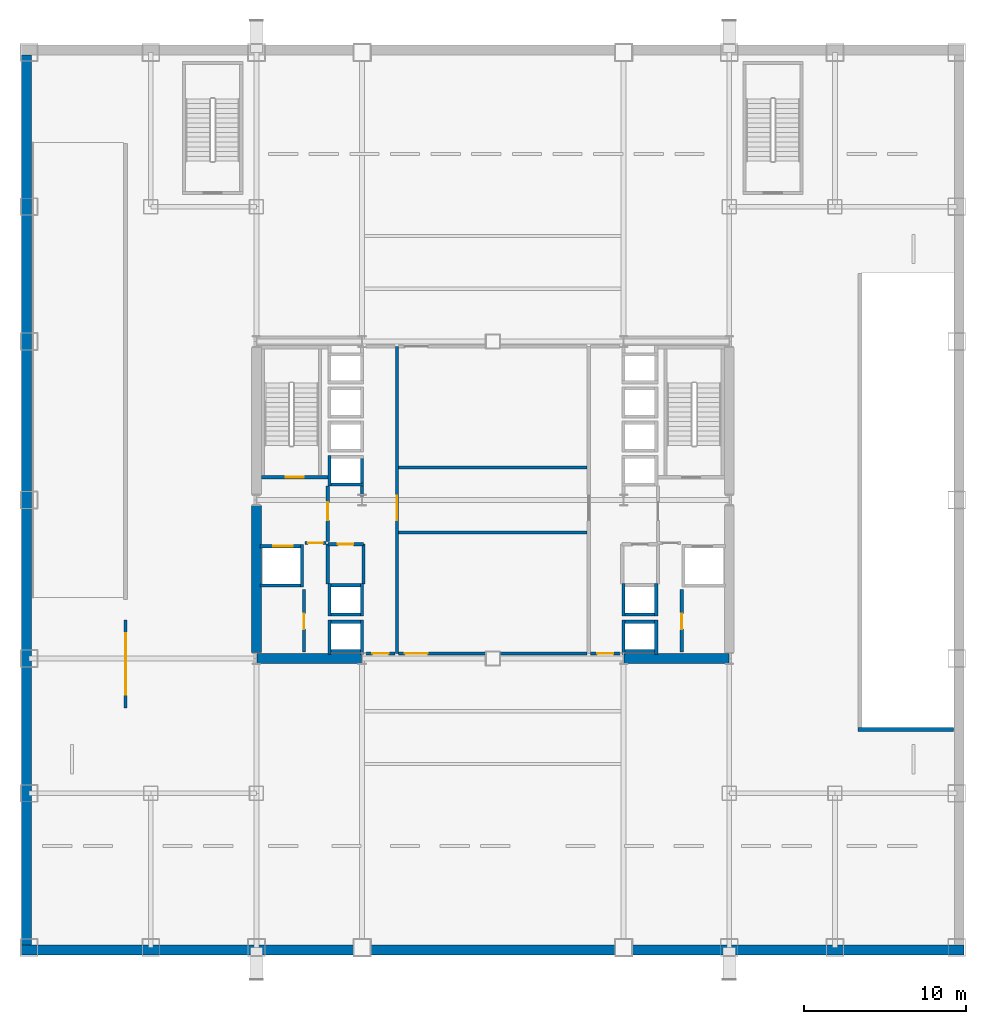
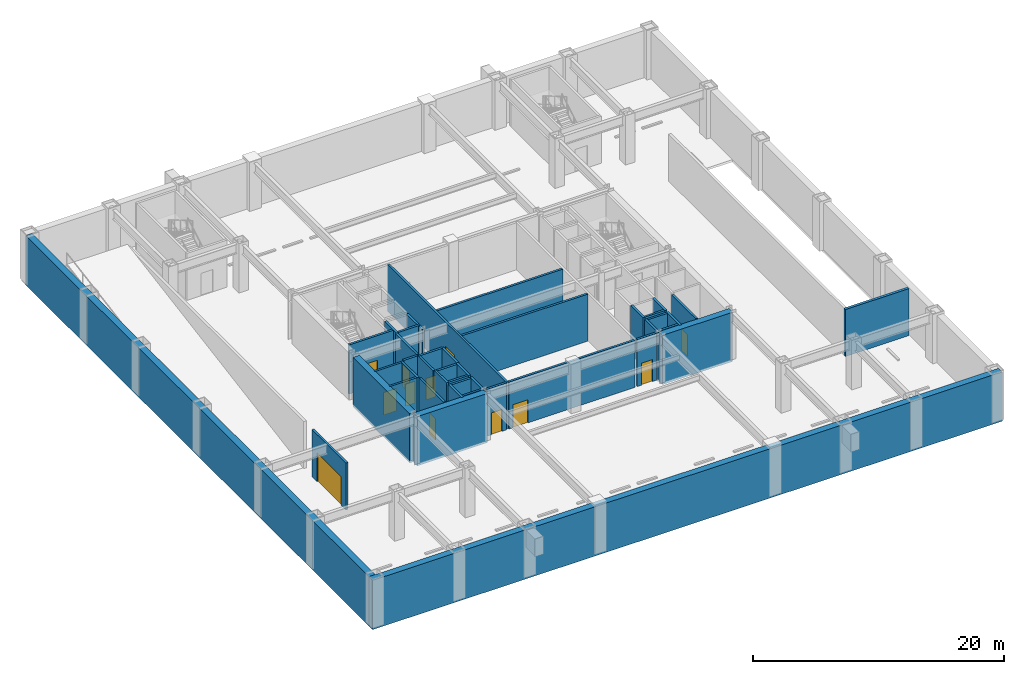
# One storey, part 6 of 10: 42 walls, 12 doors, 12 openings.
"""IFC4 building model written with IfcOpenShell, lengths in metres."""

import ifcopenshell
import ifcopenshell.guid

model = None  # the IFC model being written
_history = None  # IfcOwnerHistory: only IFC2X3 demands one
_inside = {}  # id of a spatial element -> (the spatial element, [elements in it])
_under = {}  # id of a project, library or spatial element -> (it, [spatial elements below it])
_declared = {}  # id of a project -> (the project, [libraries it declares])
_typed = {}  # id of a type object -> (the type object, [elements of that type])
_made_of = {}  # id of a material, layer set ... -> (it, [elements and type objects made of it])


def new_model(schema):
    """Start an empty IFC model of exactly this schema.

    Asked for "IFC4X3", IfcOpenShell would pick the latest addendum, in which some entities
    have other attributes; the version numbers below select the first issue.
    IFC2X3 requires an IfcOwnerHistory on every rooted entity: one is made here for all.
    """
    global model, _history
    if schema == "IFC4X3":
        model = ifcopenshell.file(schema_version=(4, 3, 0, 0))
    else:
        model = ifcopenshell.file(schema=schema)
    _inside.clear()
    _under.clear()
    _declared.clear()
    _typed.clear()
    _made_of.clear()
    _history = None
    if model.schema == "IFC2X3":
        org = make("IfcOrganization", Name="unknown")
        user = make(
            "IfcPersonAndOrganization",
            ThePerson=make("IfcPerson", FamilyName="unknown"),
            TheOrganization=org,
        )
        app = make(
            "IfcApplication",
            ApplicationDeveloper=org,
            Version="unknown",
            ApplicationFullName="unknown",
            ApplicationIdentifier="unknown",
        )
        _history = make(
            "IfcOwnerHistory",
            OwningUser=user,
            OwningApplication=app,
            ChangeAction="ADDED",
            CreationDate=0,
        )
    return model


def make(cls, **values):
    """One entity of the class cls with the attributes given. An attribute that is None is left unset."""
    return model.create_entity(
        cls, **{name: value for name, value in values.items() if value is not None}
    )


def rooted(cls, **values):
    """An entity with a GlobalId (a new one), such as an element, a storey or a relation."""
    return make(cls, GlobalId=ifcopenshell.guid.new(), OwnerHistory=_history, **values)


def si_unit(unit_type, name, prefix=None):
    """IfcSIUnit, for example si_unit("LENGTHUNIT", "METRE", prefix="MILLI")."""
    return make("IfcSIUnit", UnitType=unit_type, Prefix=prefix, Name=name)


def assignment(units):
    """IfcUnitAssignment: the units of a project."""
    return None if units is None else make("IfcUnitAssignment", Units=units)


def point(xyz):
    """IfcCartesianPoint."""
    return None if xyz is None else make("IfcCartesianPoint", Coordinates=xyz)


def direction(xyz):
    """IfcDirection."""
    return None if xyz is None else make("IfcDirection", DirectionRatios=xyz)


def frame(location, z_axis=None, x_axis=None):
    """IfcAxis2Placement3D, a coordinate frame: its origin and axes. An axis left out is left unset."""
    return make(
        "IfcAxis2Placement3D",
        Location=point(location),
        Axis=direction(z_axis),
        RefDirection=direction(x_axis),
    )


def frame_2d(location, x_axis=None):
    """IfcAxis2Placement2D, a coordinate frame in the plane: its origin and x axis."""
    return make(
        "IfcAxis2Placement2D", Location=point(location), RefDirection=direction(x_axis)
    )


def origin():
    """The frame at (0, 0, 0) with its axes left unset."""
    return frame((0.0, 0.0, 0.0))


def place(relative_to, where):
    """IfcLocalPlacement: puts the frame where relative to a parent placement (None: the world)."""
    return make(
        "IfcLocalPlacement", PlacementRelTo=relative_to, RelativePlacement=where
    )


def context(
    kind, dimensions, precision=None, world=None, true_north=None, identifier=None
):
    """IfcGeometricRepresentationContext, for example the 3D "Model" context."""
    return make(
        "IfcGeometricRepresentationContext",
        ContextIdentifier=identifier,
        ContextType=kind,
        CoordinateSpaceDimension=dimensions,
        Precision=precision,
        WorldCoordinateSystem=world,
        TrueNorth=true_north,
    )


def subcontext(parent, identifier, kind, view, scale=None):
    """IfcGeometricRepresentationSubContext, for example "Body" below "Model"."""
    return make(
        "IfcGeometricRepresentationSubContext",
        ContextIdentifier=identifier,
        ContextType=kind,
        ParentContext=parent,
        TargetScale=scale,
        TargetView=view,
    )


def project(units=None, contexts=None):
    """IfcProject with its units and contexts."""
    return rooted(
        "IfcProject",
        Name="project",
        RepresentationContexts=contexts,
        UnitsInContext=assignment(units),
    )


def spatial(cls, under=None, at=None, **own):
    """A site, building, storey or space (cls), placed at a placement, below another one or the project."""
    s = rooted(cls, ObjectPlacement=at, **own)
    if under is not None:
        _under.setdefault(under.id(), (under, []))[1].append(s)
    return s


def profile(cls, at=None, kind="AREA", **sizes):
    """A parametric profile (cls). Its sizes go by their IFC names, for example OverallWidth=200.0."""
    return make(cls, ProfileType=kind, Position=at, **sizes)


def rectangle(**sizes):
    """IfcRectangleProfileDef."""
    return profile("IfcRectangleProfileDef", **sizes)


def extrude(swept, where, along, depth):
    """IfcExtrudedAreaSolid: the profile swept, set in the frame where, extruded along a direction by depth."""
    return make(
        "IfcExtrudedAreaSolid",
        SweptArea=swept,
        Position=where,
        ExtrudedDirection=direction(along),
        Depth=depth,
    )


def shape(context_of_items, identifier, shape_type, items):
    """IfcShapeRepresentation: the items that make up one representation, for example the "Body"."""
    return make(
        "IfcShapeRepresentation",
        ContextOfItems=context_of_items,
        RepresentationIdentifier=identifier,
        RepresentationType=shape_type,
        Items=items,
    )


def material(Name=None, Category=None):
    """IfcMaterial."""
    return make("IfcMaterial", Name=Name, Category=Category)


def layer(
    of_material, thickness, ventilated=None, Name=None, Category=None, Priority=None
):
    """IfcMaterialLayer: one layer of a wall or slab, of a material (None: an air gap)."""
    return make(
        "IfcMaterialLayer",
        Material=of_material,
        LayerThickness=thickness,
        IsVentilated=ventilated,
        Name=Name,
        Category=Category,
        Priority=Priority,
    )


def layer_set(layers, Name=None):
    """IfcMaterialLayerSet."""
    return make("IfcMaterialLayerSet", MaterialLayers=layers, LayerSetName=Name)


def made_of(thing, what):
    """Note that an element or type object is made of a material, layer set ...; save() writes the relation."""
    if what is not None:
        _made_of.setdefault(what.id(), (what, []))[1].append(thing)
    return thing


def type_object(cls, material=None, **own):
    """A type object (cls), such as IfcWallType, which elements share."""
    return made_of(rooted(cls, **own), material)


def element(
    cls,
    number,
    at=None,
    inside=None,
    cuts=None,
    type_object=None,
    material=None,
    context=None,
    identifier="Body",
    shape_type=None,
    held_by="IfcProductDefinitionShape",
    body=None,
    shapes=None,
    **own,
):
    """One element of the class cls, such as IfcWall. Its Tag is "e" and its number.

    at: its placement. inside: the storey or other place that contains it. cuts: it is an
    opening in that element (IfcRelVoidsElement). A single representation is given by context,
    identifier, shape_type and body (its items); several are given by shapes. held_by: the class
    of the entity that holds the representations. save() writes the other relations.
    """
    e = rooted(cls, Tag="e%d" % number, ObjectPlacement=at, **own)
    if body is not None:
        shapes = [shape(context, identifier, shape_type, body)]
    if shapes is not None:
        e.Representation = make(held_by, Representations=shapes)
    if inside is not None:
        _inside.setdefault(inside.id(), (inside, []))[1].append(e)
    if cuts is not None:
        rooted(
            "IfcRelVoidsElement", RelatingBuildingElement=cuts, RelatedOpeningElement=e
        )
    if type_object is not None:
        _typed.setdefault(type_object.id(), (type_object, []))[1].append(e)
    return made_of(e, material)


def fill(opening, filler):
    """IfcRelFillsElement: the door or window that sits in an opening."""
    return rooted(
        "IfcRelFillsElement",
        RelatingOpeningElement=opening,
        RelatedBuildingElement=filler,
    )


def aggregate(whole, parts):
    """IfcRelAggregates: a whole, such as a stair, and the parts it consists of."""
    return rooted("IfcRelAggregates", RelatingObject=whole, RelatedObjects=parts)


def save(model, path):
    """Write the relations noted so far, then the file.

    IfcRelAggregates (storeys below a building ...), IfcRelContainedInSpatialStructure (elements
    in a storey), IfcRelDefinesByType, IfcRelAssociatesMaterial and IfcRelDeclares: one each for
    every whole, place, type object, material and project.
    """
    for whole, parts in _under.values():
        aggregate(whole, parts)
    for where, things in _inside.values():
        rooted(
            "IfcRelContainedInSpatialStructure",
            RelatedElements=things,
            RelatingStructure=where,
        )
    for kind, things in _typed.values():
        rooted("IfcRelDefinesByType", RelatedObjects=things, RelatingType=kind)
    for what, things in _made_of.values():
        rooted("IfcRelAssociatesMaterial", RelatedObjects=things, RelatingMaterial=what)
    for by, libraries in _declared.values():
        rooted("IfcRelDeclares", RelatingContext=by, RelatedDefinitions=libraries)
    model.write(path)


model = new_model("IFC4")

# Units and contexts
model_context = context("Model", 3, precision=1e-05, world=origin(), true_north=direction((0.0, 1.0)))
body_context = subcontext(model_context, "Body", "Model", "MODEL_VIEW")
ifc_project = project(units=[si_unit("LENGTHUNIT", "METRE"), si_unit("AREAUNIT", "SQUARE_METRE"), si_unit("VOLUMEUNIT", "CUBIC_METRE"), si_unit("PLANEANGLEUNIT", "RADIAN"), si_unit("MASSUNIT", "GRAM", prefix="KILO")], contexts=[model_context])

# Site, building, storey
site_placement = place(None, origin())
site = spatial("IfcSite", under=ifc_project, at=site_placement, CompositionType="ELEMENT")
building_placement = place(site_placement, origin())
building = spatial("IfcBuilding", under=site, at=building_placement, Name="Brelmoor Portico Tower", CompositionType="ELEMENT")
storey_placement = place(building_placement, frame((0.0, 0.0, -4.800048828125)))
storey = spatial("IfcBuildingStorey", under=building, at=storey_placement, Name="B1", CompositionType="ELEMENT", Elevation=-4.800048828125)

# Walls
ifc_material_1 = material(Name="Concrete C60", Category="concrete")
ifc_layer_1 = layer(ifc_material_1, 0.60009765625)
ifc_layer_set_1 = layer_set([ifc_layer_1], Name="Concrete C60")
wall_type_1 = type_object("IfcWallType", Name="WL-CORE-600", PredefinedType="SHEAR", material=ifc_layer_set_1)
wall_1_placement = place(storey_placement, frame((-14.530029296875, -9.75, -0.219970703125), z_axis=(0.0, 0.0, 1.0), x_axis=(1.0, 0.0, 0.0)))
element("IfcWall", 1, at=wall_1_placement, inside=storey, type_object=wall_type_1, Name="B1 WC South Shear Wall", PredefinedType="SHEAR", context=body_context, shape_type="SweptSolid", body=[
    extrude(rectangle(XDim=6.4599609375, YDim=0.60009765625, at=frame_2d((3.22998046875, 0.0))), origin(), (0.0, 0.0, 1.0), 4.800048828125),
])
wall_2_placement = place(storey_placement, frame((-14.550048828125, -9.39990234375, -0.219970703125), z_axis=(0.0, 0.0, 1.0), x_axis=(0.0, 1.0, 0.0)))
element("IfcWall", 2, at=wall_2_placement, inside=storey, type_object=wall_type_1, Name="B1 WC Outer South Shear Wall", PredefinedType="SHEAR", context=body_context, shape_type="SweptSolid", body=[
    extrude(rectangle(XDim=9.0498046875, YDim=0.60009765625, at=frame_2d((4.52490234375, 0.0))), origin(), (0.0, 0.0, 1.0), 4.800048828125),
])
wall_3_placement = place(storey_placement, frame((8.070068359375, -9.75, -0.219970703125), z_axis=(0.0, 0.0, 1.0), x_axis=(1.0, 0.0, 0.0)))
element("IfcWall", 3, at=wall_3_placement, inside=storey, type_object=wall_type_1, Name="B1 EC South Shear Wall", PredefinedType="SHEAR", context=body_context, shape_type="SweptSolid", body=[
    extrude(rectangle(XDim=6.4599609375, YDim=0.60009765625, at=frame_2d((3.22998046875, 0.0))), origin(), (0.0, 0.0, 1.0), 4.800048828125),
])

# Wall, opening, door
ifc_material_2 = material(Name="Double-Stud Gypsum Fire Partition", Category="gypsum")
ifc_layer_2 = layer(ifc_material_2, 0.199951171875)
ifc_layer_set_2 = layer_set([ifc_layer_2], Name="Double-Stud Gypsum Fire Partition")
wall_type_2 = type_object("IfcWallType", Name="WL-PART-200", PredefinedType="PARTITIONING", material=ifc_layer_set_2)
wall_4_placement = place(storey_placement, frame((-5.89990234375, -9.449951171875, 0.0), z_axis=(0.0, 0.0, 1.0), x_axis=(0.0, 1.0, 0.0)))
wall_4 = element("IfcWall", 4, at=wall_4_placement, inside=storey, type_object=wall_type_2, Name="B1 W Core Lobby Compartment Wall", PredefinedType="PARTITIONING", context=body_context, shape_type="SweptSolid", body=[
    extrude(rectangle(XDim=18.89990234375, YDim=0.199951171875, at=frame_2d((9.449951171875, 0.0))), origin(), (0.0, 0.0, 1.0), 4.580078125),
])
opening_1_placement = place(wall_4_placement, frame((8.199951171875, 0.0, 0.0)))
opening_1 = element("IfcOpeningElement", 5, at=opening_1_placement, cuts=wall_4, Name="Opening D-LB1", PredefinedType="OPENING", context=body_context, shape_type="SweptSolid", body=[
    extrude(rectangle(XDim=1.5, YDim=2.199951171875, at=frame_2d((0.75, 1.10009765625))), frame((0.0, 0.10986328125, 0.0), z_axis=(0.0, -1.0, 0.0), x_axis=(1.0, 0.0, 0.0)), (0.0, 0.0, 1.0), 0.219970703125),
])
ifc_material_3 = material(Name="Double-Leaf Glazed Steel Fire Door", Category="steel")
door_type_1 = type_object("IfcDoorType", Name="DR-LOBBY-1500", OperationType="NOTDEFINED", PredefinedType="DOOR", material=ifc_material_3)
door_1_placement = place(opening_1_placement, origin())
door_1 = element("IfcDoor", 6, at=door_1_placement, inside=storey, type_object=door_type_1, Name="D-0035 B1 W Lift Lobby Main Door", OperationType="DOUBLE_DOOR_SINGLE_SWING", OverallHeight=2.199951171875, OverallWidth=1.5, PredefinedType="DOOR", context=body_context, shape_type="SweptSolid", body=[
    extrude(rectangle(XDim=1.5, YDim=2.199951171875, at=frame_2d((0.75, 1.10009765625))), frame((0.0, 0.02490234375, 0.0), z_axis=(0.0, -1.0, 0.0), x_axis=(1.0, 0.0, 0.0)), (0.0, 0.0, 1.0), 0.050048828125),
])
fill(opening_1, door_1)

wall_5_placement = place(storey_placement, frame((-10.159912109375, -2.550048828125, 0.0), z_axis=(0.0, 0.0, 1.0), x_axis=(0.0, 1.0, 0.0)))
wall_5 = element("IfcWall", 7, at=wall_5_placement, inside=storey, type_object=wall_type_2, Name="B1 W Firefighting Lobby Wall", PredefinedType="PARTITIONING", context=body_context, shape_type="SweptSolid", body=[
    extrude(rectangle(XDim=3.400146484375, YDim=0.199951171875, at=frame_2d((1.7001953125, 0.0))), origin(), (0.0, 0.0, 1.0), 4.580078125),
])
opening_2_placement = place(wall_5_placement, frame((1.300048828125, 0.0, 0.0)))
opening_2 = element("IfcOpeningElement", 8, at=opening_2_placement, cuts=wall_5, Name="Opening D-FR1", PredefinedType="OPENING", context=body_context, shape_type="SweptSolid", body=[
    extrude(rectangle(XDim=1.10009765625, YDim=2.14990234375, at=frame_2d((0.550048828125, 1.074951171875))), frame((0.0, 0.10986328125, 0.0), z_axis=(0.0, -1.0, 0.0), x_axis=(1.0, 0.0, 0.0)), (0.0, 0.0, 1.0), 0.219970703125),
])
ifc_material_4 = material(Name="Painted Galvanised Steel Fire Door", Category="steel")
door_type_2 = type_object("IfcDoorType", Name="DR-FIRE-1100", OperationType="NOTDEFINED", PredefinedType="DOOR", material=ifc_material_4)
door_2_placement = place(opening_2_placement, origin())
door_2 = element("IfcDoor", 9, at=door_2_placement, inside=storey, type_object=door_type_2, Name="D-0031 B1 W Firefighting Lobby Door", OperationType="SINGLE_SWING_RIGHT", OverallHeight=2.14990234375, OverallWidth=1.10009765625, PredefinedType="DOOR", context=body_context, shape_type="SweptSolid", body=[
    extrude(rectangle(XDim=1.10009765625, YDim=2.14990234375, at=frame_2d((0.550048828125, 1.074951171875))), frame((0.0, 0.02490234375, 0.0), z_axis=(0.0, -1.0, 0.0), x_axis=(1.0, 0.0, 0.0)), (0.0, 0.0, 1.0), 0.050048828125),
])
fill(opening_2, door_2)

wall_6_placement = place(storey_placement, frame((-10.280029296875, -2.64990234375, 0.0), z_axis=(0.0, 0.0, 1.0), x_axis=(-1.0, 0.0, 0.0)))
wall_6 = element("IfcWall", 10, at=wall_6_placement, inside=storey, type_object=wall_type_2, Name="B1 W Firefighting Lobby South Wall", PredefinedType="PARTITIONING", context=body_context, shape_type="SweptSolid", body=[
    extrude(rectangle(XDim=1.27001953125, YDim=0.199951171875, at=frame_2d((0.635009765625, 0.0))), origin(), (0.0, 0.0, 1.0), 4.580078125),
])
opening_3_placement = place(wall_6_placement, frame((0.18505859375, 0.0, 0.0)))
opening_3 = element("IfcOpeningElement", 11, at=opening_3_placement, cuts=wall_6, Name="Opening D-IN1", PredefinedType="OPENING", context=body_context, shape_type="SweptSolid", body=[
    extrude(rectangle(XDim=0.89990234375, YDim=2.14990234375, at=frame_2d((0.449951171875, 1.074951171875))), frame((0.0, 0.10986328125, 0.0), z_axis=(0.0, -1.0, 0.0), x_axis=(1.0, 0.0, 0.0)), (0.0, 0.0, 1.0), 0.219970703125),
])
ifc_material_5 = material(Name="Lacquered Timber Suite Door", Category="wood")
door_type_3 = type_object("IfcDoorType", Name="DR-INT-900", OperationType="NOTDEFINED", PredefinedType="DOOR", material=ifc_material_5)
door_3_placement = place(opening_3_placement, origin())
door_3 = element("IfcDoor", 12, at=door_3_placement, inside=storey, type_object=door_type_3, Name="D-0027 B1 W Core Service Vestibule Door", OperationType="SINGLE_SWING_LEFT", OverallHeight=2.14990234375, OverallWidth=0.89990234375, PredefinedType="DOOR", context=body_context, shape_type="SweptSolid", body=[
    extrude(rectangle(XDim=0.89990234375, YDim=2.14990234375, at=frame_2d((0.449951171875, 1.074951171875))), frame((0.0, 0.02490234375, 0.0), z_axis=(0.0, -1.0, 0.0), x_axis=(1.0, 0.0, 0.0)), (0.0, 0.0, 1.0), 0.050048828125),
])
fill(opening_3, door_3)

wall_7_placement = place(storey_placement, frame((-7.9599609375, -2.719970703125, 0.0), z_axis=(0.0, 0.0, 1.0), x_axis=(-1.0, 0.0, 0.0)))
wall_7 = element("IfcWall", 13, at=wall_7_placement, inside=storey, type_object=wall_type_2, Name="B1 W Electrical Switchgear Closet Wall", PredefinedType="PARTITIONING", context=body_context, shape_type="SweptSolid", body=[
    extrude(rectangle(XDim=2.199951171875, YDim=0.199951171875, at=frame_2d((1.10009765625, 0.0))), origin(), (0.0, 0.0, 1.0), 4.580078125),
])
opening_4_placement = place(wall_7_placement, frame((0.6201171875, 0.0, 0.0)))
opening_4 = element("IfcOpeningElement", 14, at=opening_4_placement, cuts=wall_7, Name="Opening D-FR4", PredefinedType="OPENING", context=body_context, shape_type="SweptSolid", body=[
    extrude(rectangle(XDim=0.949951171875, YDim=2.10009765625, at=frame_2d((0.47509765625, 1.050048828125))), frame((0.0, 0.10986328125, 0.0), z_axis=(0.0, -1.0, 0.0), x_axis=(1.0, 0.0, 0.0)), (0.0, 0.0, 1.0), 0.219970703125),
])
ifc_material_6 = material(Name="Painted Galvanised Steel Riser Door", Category="steel")
door_type_4 = type_object("IfcDoorType", Name="DR-FIRE-950", OperationType="NOTDEFINED", PredefinedType="DOOR", material=ifc_material_6)
door_4_placement = place(opening_4_placement, origin())
door_4 = element("IfcDoor", 15, at=door_4_placement, inside=storey, type_object=door_type_4, Name="D-0029 B1 W Electrical Switchgear Closet Door", OperationType="SINGLE_SWING_RIGHT", OverallHeight=2.10009765625, OverallWidth=0.949951171875, PredefinedType="DOOR", context=body_context, shape_type="SweptSolid", body=[
    extrude(rectangle(XDim=0.949951171875, YDim=2.10009765625, at=frame_2d((0.47509765625, 1.050048828125))), frame((0.0, 0.02490234375, 0.0), z_axis=(0.0, -1.0, 0.0), x_axis=(1.0, 0.0, 0.0)), (0.0, 0.0, 1.0), 0.050048828125),
])
fill(opening_4, door_4)

# Walls
for number, where, z_axis, x_axis, name in (
    (16, (-7.9599609375, -5.159912109375, 0.0), (0.0, 0.0, 1.0), (0.0, 1.0, 0.0), "B1 W Electrical Switchgear Closet Inner Wall"),
    (17, (-10.159912109375, -5.159912109375, 0.0), (0.0, 0.0, 1.0), (0.0, 1.0, 0.0), "B1 W Electrical Switchgear Closet Outer Wall"),
):
    element("IfcWall", number, at=place(storey_placement, frame(where, z_axis=z_axis, x_axis=x_axis)), inside=storey, type_object=wall_type_2, Name=name, PredefinedType="PARTITIONING", context=body_context, shape_type="SweptSolid", body=[
        extrude(rectangle(XDim=2.43994140625, YDim=0.199951171875, at=frame_2d((1.219970703125, 0.0))), origin(), (0.0, 0.0, 1.0), 4.580078125),
    ])

# Wall, opening, door
wall_8_placement = place(storey_placement, frame((-11.6201171875, -9.35009765625, 0.0), z_axis=(0.0, 0.0, 1.0), x_axis=(0.0, 1.0, 0.0)))
wall_8 = element("IfcWall", 18, at=wall_8_placement, inside=storey, type_object=wall_type_2, Name="B1 W Mechanical Equipment Closet Wall", PredefinedType="PARTITIONING", context=body_context, shape_type="SweptSolid", body=[
    extrude(rectangle(XDim=3.85009765625, YDim=0.199951171875, at=frame_2d((1.925048828125, 0.0))), origin(), (0.0, 0.0, 1.0), 4.580078125),
])
opening_5_placement = place(wall_8_placement, frame((1.39990234375, 0.0, 0.0)))
opening_5 = element("IfcOpeningElement", 19, at=opening_5_placement, cuts=wall_8, Name="Opening D-FR4", PredefinedType="OPENING", context=body_context, shape_type="SweptSolid", body=[
    extrude(rectangle(XDim=0.949951171875, YDim=2.10009765625, at=frame_2d((0.47509765625, 1.050048828125))), frame((0.0, 0.10986328125, 0.0), z_axis=(0.0, -1.0, 0.0), x_axis=(1.0, 0.0, 0.0)), (0.0, 0.0, 1.0), 0.219970703125),
])
door_5_placement = place(opening_5_placement, origin())
door_5 = element("IfcDoor", 20, at=door_5_placement, inside=storey, type_object=door_type_4, Name="D-0025 B1 W Mechanical Equipment Closet Door", OperationType="SINGLE_SWING_LEFT", OverallHeight=2.10009765625, OverallWidth=0.949951171875, PredefinedType="DOOR", context=body_context, shape_type="SweptSolid", body=[
    extrude(rectangle(XDim=0.949951171875, YDim=2.10009765625, at=frame_2d((0.47509765625, 1.050048828125))), frame((0.0, 0.02490234375, 0.0), z_axis=(0.0, -1.0, 0.0), x_axis=(1.0, 0.0, 0.0)), (0.0, 0.0, 1.0), 0.050048828125),
])
fill(opening_5, door_5)

wall_9_placement = place(storey_placement, frame((11.6201171875, -9.35009765625, 0.0), z_axis=(0.0, 0.0, 1.0), x_axis=(0.0, 1.0, 0.0)))
wall_9 = element("IfcWall", 21, at=wall_9_placement, inside=storey, type_object=wall_type_2, Name="B1 E Mechanical Equipment Closet Wall", PredefinedType="PARTITIONING", context=body_context, shape_type="SweptSolid", body=[
    extrude(rectangle(XDim=3.85009765625, YDim=0.199951171875, at=frame_2d((1.925048828125, 0.0))), origin(), (0.0, 0.0, 1.0), 4.580078125),
])
opening_6_placement = place(wall_9_placement, frame((1.39990234375, 0.0, 0.0)))
opening_6 = element("IfcOpeningElement", 22, at=opening_6_placement, cuts=wall_9, Name="Opening D-FR4", PredefinedType="OPENING", context=body_context, shape_type="SweptSolid", body=[
    extrude(rectangle(XDim=0.949951171875, YDim=2.10009765625, at=frame_2d((0.47509765625, 1.050048828125))), frame((0.0, 0.10986328125, 0.0), z_axis=(0.0, -1.0, 0.0), x_axis=(1.0, 0.0, 0.0)), (0.0, 0.0, 1.0), 0.219970703125),
])
door_6_placement = place(opening_6_placement, origin())
door_6 = element("IfcDoor", 23, at=door_6_placement, inside=storey, type_object=door_type_4, Name="D-0024 B1 E Mechanical Equipment Closet Door", OperationType="SINGLE_SWING_LEFT", OverallHeight=2.10009765625, OverallWidth=0.949951171875, PredefinedType="DOOR", context=body_context, shape_type="SweptSolid", body=[
    extrude(rectangle(XDim=0.949951171875, YDim=2.10009765625, at=frame_2d((0.47509765625, 1.050048828125))), frame((0.0, 0.02490234375, 0.0), z_axis=(0.0, -1.0, 0.0), x_axis=(1.0, 0.0, 0.0)), (0.0, 0.0, 1.0), 0.050048828125),
])
fill(opening_6, door_6)

wall_10_placement = place(storey_placement, frame((-7.820068359375, -9.449951171875, 0.0), z_axis=(0.0, 0.0, 1.0), x_axis=(1.0, 0.0, 0.0)))
wall_10 = element("IfcWall", 24, at=wall_10_placement, inside=storey, type_object=wall_type_2, Name="B1 W Lift Lobby Car Park Door Wall", PredefinedType="PARTITIONING", context=body_context, shape_type="SweptSolid", body=[
    extrude(rectangle(XDim=1.800048828125, YDim=0.199951171875, at=frame_2d((0.89990234375, 0.0))), origin(), (0.0, 0.0, 1.0), 4.580078125),
])
opening_7_placement = place(wall_10_placement, frame((0.39990234375, 0.0, 0.0)))
opening_7 = element("IfcOpeningElement", 25, at=opening_7_placement, cuts=wall_10, Name="Opening D-FR2", PredefinedType="OPENING", context=body_context, shape_type="SweptSolid", body=[
    extrude(rectangle(XDim=1.0, YDim=2.14990234375, at=frame_2d((0.5, 1.074951171875))), frame((0.0, 0.10986328125, 0.0), z_axis=(0.0, -1.0, 0.0), x_axis=(1.0, 0.0, 0.0)), (0.0, 0.0, 1.0), 0.219970703125),
])
door_type_5 = type_object("IfcDoorType", Name="DR-FIRE-1000", OperationType="NOTDEFINED", PredefinedType="DOOR", material=ifc_material_4)
door_7_placement = place(opening_7_placement, origin())
door_7 = element("IfcDoor", 26, at=door_7_placement, inside=storey, type_object=door_type_5, Name="D-0033 B1 W Car Park Lobby Door", OperationType="SINGLE_SWING_RIGHT", OverallHeight=2.14990234375, OverallWidth=1.0, PredefinedType="DOOR", context=body_context, shape_type="SweptSolid", body=[
    extrude(rectangle(XDim=1.0, YDim=2.14990234375, at=frame_2d((0.5, 1.074951171875))), frame((0.0, 0.02490234375, 0.0), z_axis=(0.0, -1.0, 0.0), x_axis=(1.0, 0.0, 0.0)), (0.0, 0.0, 1.0), 0.050048828125),
])
fill(opening_7, door_7)

wall_11_placement = place(storey_placement, frame((6.02001953125, -9.449951171875, 0.0), z_axis=(0.0, 0.0, 1.0), x_axis=(1.0, 0.0, 0.0)))
wall_11 = element("IfcWall", 27, at=wall_11_placement, inside=storey, type_object=wall_type_2, Name="B1 E Lift Lobby Car Park Door Wall", PredefinedType="PARTITIONING", context=body_context, shape_type="SweptSolid", body=[
    extrude(rectangle(XDim=1.800048828125, YDim=0.199951171875, at=frame_2d((0.89990234375, 0.0))), origin(), (0.0, 0.0, 1.0), 4.580078125),
])
opening_8_placement = place(wall_11_placement, frame((0.39990234375, 0.0, 0.0)))
opening_8 = element("IfcOpeningElement", 28, at=opening_8_placement, cuts=wall_11, Name="Opening D-FR2", PredefinedType="OPENING", context=body_context, shape_type="SweptSolid", body=[
    extrude(rectangle(XDim=1.0, YDim=2.14990234375, at=frame_2d((0.5, 1.074951171875))), frame((0.0, 0.10986328125, 0.0), z_axis=(0.0, -1.0, 0.0), x_axis=(1.0, 0.0, 0.0)), (0.0, 0.0, 1.0), 0.219970703125),
])
door_8_placement = place(opening_8_placement, origin())
door_8 = element("IfcDoor", 29, at=door_8_placement, inside=storey, type_object=door_type_5, Name="D-0032 B1 E Car Park Lobby Door", OperationType="SINGLE_SWING_LEFT", OverallHeight=2.14990234375, OverallWidth=1.0, PredefinedType="DOOR", context=body_context, shape_type="SweptSolid", body=[
    extrude(rectangle(XDim=1.0, YDim=2.14990234375, at=frame_2d((0.5, 1.074951171875))), frame((0.0, 0.02490234375, 0.0), z_axis=(0.0, -1.0, 0.0), x_axis=(1.0, 0.0, 0.0)), (0.0, 0.0, 1.0), 0.050048828125),
])
fill(opening_8, door_8)

wall_12_placement = place(storey_placement, frame((-5.800048828125, -9.449951171875, 0.0), z_axis=(0.0, 0.0, 1.0), x_axis=(1.0, 0.0, 0.0)))
wall_12 = element("IfcWall", 30, at=wall_12_placement, inside=storey, type_object=wall_type_2, Name="B1 Pump Room Loop Wall", PredefinedType="PARTITIONING", context=body_context, shape_type="SweptSolid", body=[
    extrude(rectangle(XDim=11.60009765625, YDim=0.199951171875, at=frame_2d((5.800048828125, 0.0))), origin(), (0.0, 0.0, 1.0), 4.580078125),
])
opening_9_placement = place(wall_12_placement, frame((0.3798828125, 0.0, 0.0)))
opening_9 = element("IfcOpeningElement", 31, at=opening_9_placement, cuts=wall_12, Name="Opening D-PL1", PredefinedType="OPENING", context=body_context, shape_type="SweptSolid", body=[
    extrude(rectangle(XDim=1.39990234375, YDim=2.25, at=frame_2d((0.699951171875, 1.125))), frame((0.0, 0.10986328125, 0.0), z_axis=(0.0, -1.0, 0.0), x_axis=(1.0, 0.0, 0.0)), (0.0, 0.0, 1.0), 0.219970703125),
])
ifc_material_7 = material(Name="Double-Leaf Acoustic Steel Plant Door", Category="steel")
door_type_6 = type_object("IfcDoorType", Name="DR-PLANT-1400", OperationType="NOTDEFINED", PredefinedType="DOOR", material=ifc_material_7)
door_9_placement = place(opening_9_placement, origin())
door_9 = element("IfcDoor", 32, at=door_9_placement, inside=storey, type_object=door_type_6, Name="D-0023 B1 Pump Plant Door", OperationType="DOUBLE_DOOR_SINGLE_SWING", OverallHeight=2.25, OverallWidth=1.39990234375, PredefinedType="DOOR", context=body_context, shape_type="SweptSolid", body=[
    extrude(rectangle(XDim=1.39990234375, YDim=2.25, at=frame_2d((0.699951171875, 1.125))), frame((0.0, 0.02490234375, 0.0), z_axis=(0.0, -1.0, 0.0), x_axis=(1.0, 0.0, 0.0)), (0.0, 0.0, 1.0), 0.050048828125),
])
fill(opening_9, door_9)

# Walls
for number, where, z_axis, x_axis, name in (
    (33, (-5.800048828125, -2.0, 0.0), (0.0, 0.0, 1.0), (1.0, 0.0, 0.0), "B1 Pump Room Inner Wall"),
    (34, (-5.800048828125, 2.0, 0.0), (0.0, 0.0, 1.0), (1.0, 0.0, 0.0), "B1 Switchroom Inner Wall"),
):
    element("IfcWall", number, at=place(storey_placement, frame(where, z_axis=z_axis, x_axis=x_axis)), inside=storey, type_object=wall_type_2, Name=name, PredefinedType="PARTITIONING", context=body_context, shape_type="SweptSolid", body=[
        extrude(rectangle(XDim=11.60009765625, YDim=0.199951171875, at=frame_2d((5.800048828125, 0.0))), origin(), (0.0, 0.0, 1.0), 4.580078125),
    ])

# Wall, opening, door
wall_13_placement = place(storey_placement, frame((-22.60009765625, -12.800048828125, 0.0), z_axis=(0.0, 0.0, 1.0), x_axis=(0.0, 1.0, 0.0)))
wall_13 = element("IfcWall", 35, at=wall_13_placement, inside=storey, type_object=wall_type_2, Name="B1 Ramp Fire Roller Shutter Wall VG-03", PredefinedType="PARTITIONING", context=body_context, shape_type="SweptSolid", body=[
    extrude(rectangle(XDim=5.400146484375, YDim=0.199951171875, at=frame_2d((2.7001953125, 0.0))), origin(), (0.0, 0.0, 1.0), 4.580078125),
])
opening_10_placement = place(wall_13_placement, frame((0.800048828125, 0.0, 0.0)))
opening_10 = element("IfcOpeningElement", 36, at=opening_10_placement, cuts=wall_13, Name="Opening VG-02", PredefinedType="OPENING", context=body_context, shape_type="SweptSolid", body=[
    extrude(rectangle(XDim=3.800048828125, YDim=2.800048828125, at=frame_2d((1.89990234375, 1.39990234375))), frame((0.0, 0.10986328125, 0.0), z_axis=(0.0, -1.0, 0.0), x_axis=(1.0, 0.0, 0.0)), (0.0, 0.0, 1.0), 0.219970703125),
])
ifc_material_8 = material(Name="Insulated Fire-Rated Steel Roller Shutter Gate", Category="steel")
door_type_7 = type_object("IfcDoorType", Name="DR-GATE-3800", OperationType="NOTDEFINED", PredefinedType="GATE", material=ifc_material_8)
door_10_placement = place(opening_10_placement, origin())
door_10 = element("IfcDoor", 37, at=door_10_placement, inside=storey, type_object=door_type_7, Name="D-0040 B1 Car Park Fire Roller Shutter Gate VG-03", OperationType="ROLLINGUP", OverallHeight=2.800048828125, OverallWidth=3.800048828125, PredefinedType="GATE", context=body_context, shape_type="SweptSolid", body=[
    extrude(rectangle(XDim=3.800048828125, YDim=2.800048828125, at=frame_2d((1.89990234375, 1.39990234375))), frame((0.0, 0.02490234375, 0.0), z_axis=(0.0, -1.0, 0.0), x_axis=(1.0, 0.0, 0.0)), (0.0, 0.0, 1.0), 0.050048828125),
])
fill(opening_10, door_10)

# Walls
ifc_material_9 = material(Name="Concrete C50", Category="concrete")
ifc_layer_3 = layer(ifc_material_9, 0.60009765625)
ifc_layer_set_3 = layer_set([ifc_layer_3], Name="Concrete C50")
wall_type_3 = type_object("IfcWallType", Name="WL-RET-600", PredefinedType="STANDARD", material=ifc_layer_set_3)
wall_14_placement = place(storey_placement, frame((-29.0, -27.699951171875, -0.219970703125), z_axis=(0.0, 0.0, 1.0), x_axis=(1.0, 0.0, 0.0)))
element("IfcWall", 38, at=wall_14_placement, inside=storey, type_object=wall_type_3, Name="B1 Basement Retaining Wall S", PredefinedType="STANDARD", context=body_context, shape_type="SweptSolid", body=[
    extrude(rectangle(XDim=58.0, YDim=0.60009765625, at=frame_2d((29.0, 0.0))), origin(), (0.0, 0.0, 1.0), 4.800048828125),
])
wall_15_placement = place(storey_placement, frame((-28.699951171875, -27.39990234375, -0.219970703125), z_axis=(0.0, 0.0, 1.0), x_axis=(0.0, 1.0, 0.0)))
element("IfcWall", 39, at=wall_15_placement, inside=storey, type_object=wall_type_3, Name="B1 Basement Retaining Wall W", PredefinedType="STANDARD", context=body_context, shape_type="SweptSolid", body=[
    extrude(rectangle(XDim=54.7998046875, YDim=0.60009765625, at=frame_2d((27.39990234375, 0.0))), origin(), (0.0, 0.0, 1.0), 4.800048828125),
])
ifc_material_10 = material(Name="Precast Concrete C40", Category="concrete")
ifc_layer_4 = layer(ifc_material_10, 0.18994140625)
ifc_layer_set_4 = layer_set([ifc_layer_4], Name="Precast Concrete C40")
wall_type_4 = type_object("IfcWallType", Name="WL-SHAFT-180", PredefinedType="SOLIDWALL", material=ifc_layer_set_4)
wall_16_placement = place(storey_placement, frame((-8.044921875, 0.2099609375, -0.219970703125), z_axis=(0.0, 0.0, 1.0), x_axis=(0.0, 1.0, 0.0)))
element("IfcWall", 40, at=wall_16_placement, inside=storey, type_object=wall_type_4, Name="B1 Lift PL1 Hoistway Front Wall", PredefinedType="SOLIDWALL", context=body_context, shape_type="SweptSolid", body=[
    extrude(rectangle(XDim=2.5400390625, YDim=0.18994140625, at=frame_2d((1.27001953125, 0.0))), origin(), (0.0, 0.0, 1.0), 4.800048828125),
])
wall_17_placement = place(storey_placement, frame((-10.054931640625, 0.85009765625, -0.219970703125), z_axis=(0.0, 0.0, 1.0), x_axis=(0.0, 1.0, 0.0)))
element("IfcWall", 41, at=wall_17_placement, inside=storey, type_object=wall_type_4, Name="B1 Lift PL1 Hoistway Back Wall", PredefinedType="SOLIDWALL", context=body_context, shape_type="SweptSolid", body=[
    extrude(rectangle(XDim=1.89990234375, YDim=0.18994140625, at=frame_2d((0.949951171875, 0.0))), origin(), (0.0, 0.0, 1.0), 4.800048828125),
])
wall_18_placement = place(storey_placement, frame((-10.14990234375, 0.945068359375, -0.219970703125), z_axis=(0.0, 0.0, 1.0), x_axis=(1.0, 0.0, 0.0)))
element("IfcWall", 42, at=wall_18_placement, inside=storey, type_object=wall_type_4, Name="B1 Lift PL1 Hoistway South Wall", PredefinedType="SOLIDWALL", context=body_context, shape_type="SweptSolid", body=[
    extrude(rectangle(XDim=2.199951171875, YDim=0.18994140625, at=frame_2d((1.10009765625, 0.0))), origin(), (0.0, 0.0, 1.0), 4.800048828125),
])
for number, where, z_axis, x_axis, name in (
    (43, (-8.044921875, -9.52001953125, -0.219970703125), (0.0, 0.0, 1.0), (0.0, 1.0, 0.0), "B1 Lift PH1 Hoistway Front Wall"),
    (44, (-10.054931640625, -9.52001953125, -0.219970703125), (0.0, 0.0, 1.0), (0.0, 1.0, 0.0), "B1 Lift PH1 Hoistway Back Wall"),
):
    element("IfcWall", number, at=place(storey_placement, frame(where, z_axis=z_axis, x_axis=x_axis)), inside=storey, type_object=wall_type_4, Name=name, PredefinedType="SOLIDWALL", context=body_context, shape_type="SweptSolid", body=[
        extrude(rectangle(XDim=2.1201171875, YDim=0.18994140625, at=frame_2d((1.06005859375, 0.0))), origin(), (0.0, 0.0, 1.0), 4.800048828125),
    ])
for number, where, z_axis, x_axis, name in (
    (45, (-10.14990234375, -7.4951171875, -0.219970703125), (0.0, 0.0, 1.0), (1.0, 0.0, 0.0), "B1 Lift PH1 Hoistway North Wall"),
    (46, (-10.14990234375, -9.304931640625, -0.219970703125), (0.0, 0.0, 1.0), (1.0, 0.0, 0.0), "B1 Lift PH1 Hoistway South Wall"),
):
    element("IfcWall", number, at=place(storey_placement, frame(where, z_axis=z_axis, x_axis=x_axis)), inside=storey, type_object=wall_type_4, Name=name, PredefinedType="SOLIDWALL", context=body_context, shape_type="SweptSolid", body=[
        extrude(rectangle(XDim=2.199951171875, YDim=0.18994140625, at=frame_2d((1.10009765625, 0.0))), origin(), (0.0, 0.0, 1.0), 4.800048828125),
    ])
for number, where, z_axis, x_axis, name in (
    (47, (-8.044921875, -7.14990234375, -0.219970703125), (0.0, 0.0, 1.0), (0.0, 1.0, 0.0), "B1 Lift PH2 Hoistway Front Wall"),
    (48, (-10.054931640625, -7.14990234375, -0.219970703125), (0.0, 0.0, 1.0), (0.0, 1.0, 0.0), "B1 Lift PH2 Hoistway Back Wall"),
):
    element("IfcWall", number, at=place(storey_placement, frame(where, z_axis=z_axis, x_axis=x_axis)), inside=storey, type_object=wall_type_4, Name=name, PredefinedType="SOLIDWALL", context=body_context, shape_type="SweptSolid", body=[
        extrude(rectangle(XDim=2.0, YDim=0.18994140625, at=frame_2d((1.0, 0.0))), origin(), (0.0, 0.0, 1.0), 4.800048828125),
    ])
for number, where, z_axis, x_axis, name in (
    (49, (-10.14990234375, -5.2451171875, -0.219970703125), (0.0, 0.0, 1.0), (1.0, 0.0, 0.0), "B1 Lift PH2 Hoistway North Wall"),
    (50, (-10.14990234375, -7.054931640625, -0.219970703125), (0.0, 0.0, 1.0), (1.0, 0.0, 0.0), "B1 Lift PH2 Hoistway South Wall"),
):
    element("IfcWall", number, at=place(storey_placement, frame(where, z_axis=z_axis, x_axis=x_axis)), inside=storey, type_object=wall_type_4, Name=name, PredefinedType="SOLIDWALL", context=body_context, shape_type="SweptSolid", body=[
        extrude(rectangle(XDim=2.199951171875, YDim=0.18994140625, at=frame_2d((1.10009765625, 0.0))), origin(), (0.0, 0.0, 1.0), 4.800048828125),
    ])
for number, where, z_axis, x_axis, name in (
    (51, (8.044921875, -9.52001953125, -0.219970703125), (0.0, 0.0, 1.0), (0.0, 1.0, 0.0), "B1 Lift PH3 Hoistway Front Wall"),
    (52, (10.054931640625, -9.52001953125, -0.219970703125), (0.0, 0.0, 1.0), (0.0, 1.0, 0.0), "B1 Lift PH3 Hoistway Back Wall"),
):
    element("IfcWall", number, at=place(storey_placement, frame(where, z_axis=z_axis, x_axis=x_axis)), inside=storey, type_object=wall_type_4, Name=name, PredefinedType="SOLIDWALL", context=body_context, shape_type="SweptSolid", body=[
        extrude(rectangle(XDim=2.1201171875, YDim=0.18994140625, at=frame_2d((1.06005859375, 0.0))), origin(), (0.0, 0.0, 1.0), 4.800048828125),
    ])
for number, where, z_axis, x_axis, name in (
    (53, (7.949951171875, -7.4951171875, -0.219970703125), (0.0, 0.0, 1.0), (1.0, 0.0, 0.0), "B1 Lift PH3 Hoistway North Wall"),
    (54, (7.949951171875, -9.304931640625, -0.219970703125), (0.0, 0.0, 1.0), (1.0, 0.0, 0.0), "B1 Lift PH3 Hoistway South Wall"),
):
    element("IfcWall", number, at=place(storey_placement, frame(where, z_axis=z_axis, x_axis=x_axis)), inside=storey, type_object=wall_type_4, Name=name, PredefinedType="SOLIDWALL", context=body_context, shape_type="SweptSolid", body=[
        extrude(rectangle(XDim=2.199951171875, YDim=0.18994140625, at=frame_2d((1.10009765625, 0.0))), origin(), (0.0, 0.0, 1.0), 4.800048828125),
    ])
for number, where, z_axis, x_axis, name in (
    (55, (8.044921875, -7.14990234375, -0.219970703125), (0.0, 0.0, 1.0), (0.0, 1.0, 0.0), "B1 Lift PH4 Hoistway Front Wall"),
    (56, (10.054931640625, -7.14990234375, -0.219970703125), (0.0, 0.0, 1.0), (0.0, 1.0, 0.0), "B1 Lift PH4 Hoistway Back Wall"),
):
    element("IfcWall", number, at=place(storey_placement, frame(where, z_axis=z_axis, x_axis=x_axis)), inside=storey, type_object=wall_type_4, Name=name, PredefinedType="SOLIDWALL", context=body_context, shape_type="SweptSolid", body=[
        extrude(rectangle(XDim=2.0, YDim=0.18994140625, at=frame_2d((1.0, 0.0))), origin(), (0.0, 0.0, 1.0), 4.800048828125),
    ])
wall_19_placement = place(storey_placement, frame((7.949951171875, -7.054931640625, -0.219970703125), z_axis=(0.0, 0.0, 1.0), x_axis=(1.0, 0.0, 0.0)))
element("IfcWall", 57, at=wall_19_placement, inside=storey, type_object=wall_type_4, Name="B1 Lift PH4 Hoistway South Wall", PredefinedType="SOLIDWALL", context=body_context, shape_type="SweptSolid", body=[
    extrude(rectangle(XDim=2.199951171875, YDim=0.18994140625, at=frame_2d((1.10009765625, 0.0))), origin(), (0.0, 0.0, 1.0), 4.800048828125),
])

# Wall, opening, door
wall_20_placement = place(storey_placement, frame((-14.330078125, -2.844970703125, -0.219970703125), z_axis=(0.0, 0.0, 1.0), x_axis=(1.0, 0.0, 0.0)))
wall_20 = element("IfcWall", 58, at=wall_20_placement, inside=storey, type_object=wall_type_4, Name="B1 Lift FF1 Hoistway Front Wall", PredefinedType="SOLIDWALL", context=body_context, shape_type="SweptSolid", body=[
    extrude(rectangle(XDim=2.68017578125, YDim=0.18994140625, at=frame_2d((1.340087890625, 0.0))), origin(), (0.0, 0.0, 1.0), 4.800048828125),
])
opening_11_placement = place(wall_20_placement, frame((0.830078125, 0.0, 0.219970703125)))
opening_11 = element("IfcOpeningElement", 59, at=opening_11_placement, cuts=wall_20, Name="Opening LD-02", PredefinedType="OPENING", context=body_context, shape_type="SweptSolid", body=[
    extrude(rectangle(XDim=1.199951171875, YDim=2.199951171875, at=frame_2d((0.60009765625, 1.10009765625))), frame((0.0, 0.10498046875, 0.0), z_axis=(0.0, -1.0, 0.0), x_axis=(1.0, 0.0, 0.0)), (0.0, 0.0, 1.0), 0.2099609375),
])
ifc_material_11 = material(Name="Brushed Stainless Steel Firefighting Lift Door", Category="steel")
door_type_8 = type_object("IfcDoorType", Name="DR-LIFT-1200", OperationType="NOTDEFINED", PredefinedType="DOOR", material=ifc_material_11)
door_11_placement = place(opening_11_placement, origin())
door_11 = element("IfcDoor", 60, at=door_11_placement, inside=storey, type_object=door_type_8, Name="D-0041 B1 Lift FF1 Sliding Landing Door", OperationType="SLIDING_TO_LEFT", OverallHeight=2.199951171875, OverallWidth=1.199951171875, PredefinedType="DOOR", context=body_context, shape_type="SweptSolid", body=[
    extrude(rectangle(XDim=1.199951171875, YDim=2.199951171875, at=frame_2d((0.60009765625, 1.10009765625))), frame((0.0, 0.02490234375, 0.0), z_axis=(0.0, -1.0, 0.0), x_axis=(1.0, 0.0, 0.0)), (0.0, 0.0, 1.0), 0.050048828125),
])
fill(opening_11, door_11)

# Walls
wall_21_placement = place(storey_placement, frame((-14.330078125, -5.2548828125, -0.219970703125), z_axis=(0.0, 0.0, 1.0), x_axis=(1.0, 0.0, 0.0)))
element("IfcWall", 61, at=wall_21_placement, inside=storey, type_object=wall_type_4, Name="B1 Firefighting Lift FF1 South Wall", PredefinedType="SOLIDWALL", context=body_context, shape_type="SweptSolid", body=[
    extrude(rectangle(XDim=2.68017578125, YDim=0.18994140625, at=frame_2d((1.340087890625, 0.0))), origin(), (0.0, 0.0, 1.0), 4.800048828125),
])
wall_22_placement = place(storey_placement, frame((-11.7451171875, -5.35009765625, -0.219970703125), z_axis=(0.0, 0.0, 1.0), x_axis=(0.0, 1.0, 0.0)))
element("IfcWall", 62, at=wall_22_placement, inside=storey, type_object=wall_type_4, Name="B1 Firefighting Lift FF1 Inner Wall", PredefinedType="SOLIDWALL", context=body_context, shape_type="SweptSolid", body=[
    extrude(rectangle(XDim=2.60009765625, YDim=0.18994140625, at=frame_2d((1.300048828125, 0.0))), origin(), (0.0, 0.0, 1.0), 4.800048828125),
])

# Wall, opening, door
ifc_material_12 = material(Name="Concrete C40", Category="concrete")
ifc_layer_5 = layer(ifc_material_12, 0.199951171875)
ifc_layer_set_5 = layer_set([ifc_layer_5], Name="Concrete C40")
wall_type_5 = type_object("IfcWallType", Name="WL-SHAFT-RC200", PredefinedType="SOLIDWALL", material=ifc_layer_set_5)
wall_23_placement = place(storey_placement, frame((-14.25, 1.39990234375, -0.219970703125), z_axis=(0.0, 0.0, 1.0), x_axis=(1.0, 0.0, 0.0)))
wall_23 = element("IfcWall", 63, at=wall_23_placement, inside=storey, type_object=wall_type_5, Name="B1 ST-W Structural Stair Wall S", PredefinedType="SOLIDWALL", context=body_context, shape_type="SweptSolid", body=[
    extrude(rectangle(XDim=4.10009765625, YDim=0.199951171875, at=frame_2d((2.050048828125, 0.0))), origin(), (0.0, 0.0, 1.0), 4.800048828125),
])
opening_12_placement = place(wall_23_placement, frame((1.5, 0.0, 0.219970703125)))
opening_12 = element("IfcOpeningElement", 64, at=opening_12_placement, cuts=wall_23, Name="Opening D-ST1", PredefinedType="OPENING", context=body_context, shape_type="SweptSolid", body=[
    extrude(rectangle(XDim=1.1201171875, YDim=2.179931640625, at=frame_2d((0.56005859375, 1.08984375))), frame((0.0, 0.10986328125, 0.0), z_axis=(0.0, -1.0, 0.0), x_axis=(1.0, 0.0, 0.0)), (0.0, 0.0, 1.0), 0.219970703125),
])
door_type_9 = type_object("IfcDoorType", Name="DR-STAIR-1100", OperationType="NOTDEFINED", PredefinedType="DOOR", material=ifc_material_4)
door_12_placement = place(opening_12_placement, origin())
door_12 = element("IfcDoor", 65, at=door_12_placement, inside=storey, type_object=door_type_9, Name="D-0039 B1 ST-W Protected Exit Stair Door", OperationType="SINGLE_SWING_LEFT", OverallHeight=2.179931640625, OverallWidth=1.1201171875, PredefinedType="DOOR", context=body_context, shape_type="SweptSolid", body=[
    extrude(rectangle(XDim=1.1201171875, YDim=2.179931640625, at=frame_2d((0.56005859375, 1.08984375))), frame((0.0, 0.02490234375, 0.0), z_axis=(0.0, -1.0, 0.0), x_axis=(1.0, 0.0, 0.0)), (0.0, 0.0, 1.0), 0.050048828125),
])
fill(opening_12, door_12)

# Wall
ifc_layer_6 = layer(ifc_material_12, 0.239990234375)
ifc_layer_set_6 = layer_set([ifc_layer_6], Name="Concrete C40")
wall_type_6 = type_object("IfcWallType", Name="WL-SHAFT-RC240", PredefinedType="SOLIDWALL", material=ifc_layer_set_6)
wall_24_placement = place(storey_placement, frame((22.47998046875, -14.1201171875, 0.0), z_axis=(0.0, 0.0, 1.0), x_axis=(1.0, 0.0, 0.0)))
element("IfcWall", 66, at=wall_24_placement, inside=storey, type_object=wall_type_6, Name="B1 Ramp VR-2 South Headwall", PredefinedType="SOLIDWALL", context=body_context, shape_type="SweptSolid", body=[
    extrude(rectangle(XDim=5.8701171875, YDim=0.239990234375, at=frame_2d((2.93505859375, 0.0))), origin(), (0.0, 0.0, 1.0), 4.580078125),
])

save(model, "model.ifc")
